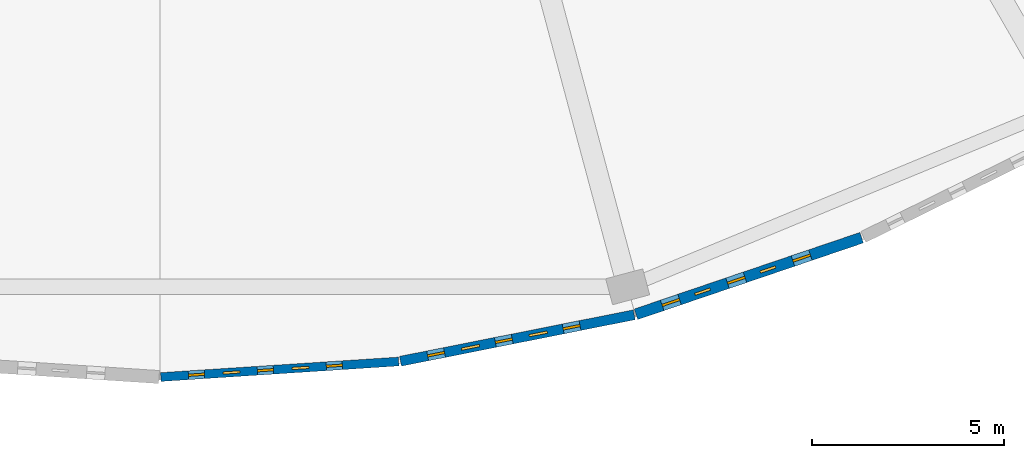
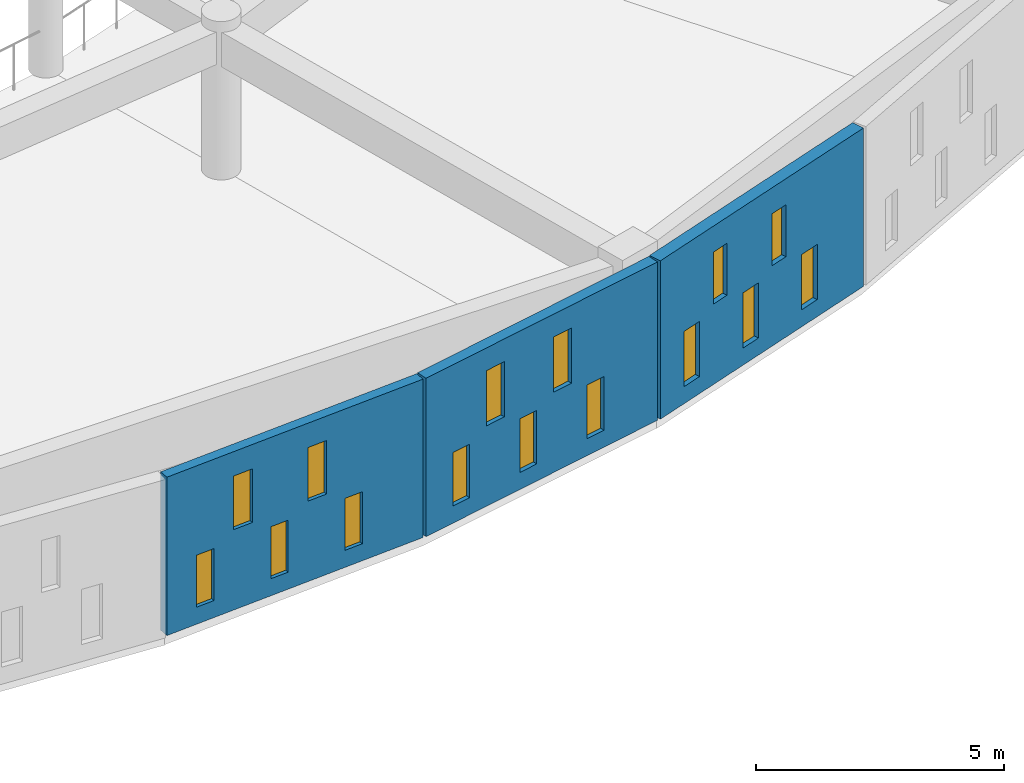
# One storey, part 55 of 98: 15 windows, 3 walls, 15 openings.
"""IFC4 building model written with IfcOpenShell, lengths in metres."""

from ifc_helpers import new_model, si_unit, direction, frame, frame_2d, origin, place, context, subcontext, project, spatial, rectangle, extrude, material, layer, layer_set, type_object, element, fill, save


model = new_model("IFC4")

# Units and contexts
model_context = context("Model", 3, precision=1e-05, world=origin(), true_north=direction((0.0, 1.0)))
body_context = subcontext(model_context, "Body", "Model", "MODEL_VIEW")
ifc_project = project(units=[si_unit("LENGTHUNIT", "METRE"), si_unit("AREAUNIT", "SQUARE_METRE"), si_unit("VOLUMEUNIT", "CUBIC_METRE"), si_unit("PLANEANGLEUNIT", "RADIAN"), si_unit("MASSUNIT", "GRAM", prefix="KILO")], contexts=[model_context])

# Site, building, storey
site_placement = place(None, origin())
site = spatial("IfcSite", under=ifc_project, at=site_placement, CompositionType="ELEMENT")
building_placement = place(site_placement, origin())
building = spatial("IfcBuilding", under=site, at=building_placement, Name="Larkveld Mobility Hub", CompositionType="ELEMENT")
storey_placement = place(building_placement, frame((0.0, 0.0, 4.5)))
storey = spatial("IfcBuildingStorey", under=building, at=storey_placement, Name="L01", CompositionType="ELEMENT", Elevation=4.5)

# Wall, openings, windows
ifc_material_1 = material(Name="Fired clay brick 25 MPa", Category="masonry")
ifc_layer_1 = layer(ifc_material_1, 0.22998046875, Name="Fired clay brick 25 MPa", Category="masonry")
ifc_layer_set_1 = layer_set([ifc_layer_1], Name="Fired clay brick 25 MPa")
wall_type_1 = type_object("IfcWallType", Name="WL-BRK-230", PredefinedType="USERDEFINED", material=ifc_layer_set_1)
wall_1_placement = place(storey_placement, frame((48.02392578125, 0.152099609375, 0.0), z_axis=(0.0, 0.0, 1.0), x_axis=(0.997874164219, 0.065170180182, 0.0)))
wall_1 = element("IfcWall", 1, at=wall_1_placement, inside=storey, type_object=wall_type_1, Name="Drum Woven Open-Bond Brick Chord L01-0081", ObjectType="PERFORATED BRICK SCREEN", PredefinedType="USERDEFINED", context=body_context, shape_type="SweptSolid", body=[
    extrude(rectangle(XDim=6.211181640625, YDim=0.22998046875, at=frame_2d((3.10546875, 0.0))), origin(), (0.0, 0.0, 1.0), 3.89990234375),
])
opening_1_placement = place(wall_1_placement, frame((0.719970703125, 0.0, 0.419921875)))
opening_1 = element("IfcOpeningElement", 2, at=opening_1_placement, cuts=wall_1, Name="Opening W01", PredefinedType="OPENING", context=body_context, shape_type="SweptSolid", body=[
    extrude(rectangle(XDim=0.419921875, YDim=1.280029296875, at=frame_2d((0.2099609375, 0.64013671875))), frame((0.0, 0.125, 0.0), z_axis=(0.0, -1.0, 0.0), x_axis=(1.0, 0.0, 0.0)), (0.0, 0.0, 1.0), 0.25),
])
opening_2_placement = place(wall_1_placement, frame((2.52001953125, 0.0, 0.419921875)))
opening_2 = element("IfcOpeningElement", 3, at=opening_2_placement, cuts=wall_1, Name="Opening W01", PredefinedType="OPENING", context=body_context, shape_type="SweptSolid", body=[
    extrude(rectangle(XDim=0.419921875, YDim=1.280029296875, at=frame_2d((0.2099609375, 0.64013671875))), frame((0.0, 0.125, 0.0), z_axis=(0.0, -1.0, 0.0), x_axis=(1.0, 0.0, 0.0)), (0.0, 0.0, 1.0), 0.25),
])
opening_3_placement = place(wall_1_placement, frame((4.320068359375, 0.0, 0.419921875)))
opening_3 = element("IfcOpeningElement", 4, at=opening_3_placement, cuts=wall_1, Name="Opening W01", PredefinedType="OPENING", context=body_context, shape_type="SweptSolid", body=[
    extrude(rectangle(XDim=0.419921875, YDim=1.280029296875, at=frame_2d((0.2099609375, 0.64013671875))), frame((0.0, 0.125, 0.0), z_axis=(0.0, -1.0, 0.0), x_axis=(1.0, 0.0, 0.0)), (0.0, 0.0, 1.0), 0.25),
])
opening_4_placement = place(wall_1_placement, frame((1.6201171875, 0.0, 1.97998046875)))
opening_4 = element("IfcOpeningElement", 5, at=opening_4_placement, cuts=wall_1, Name="Opening W02", PredefinedType="OPENING", context=body_context, shape_type="SweptSolid", body=[
    extrude(rectangle(XDim=0.449951171875, YDim=1.320068359375, at=frame_2d((0.22509765625, 0.66015625))), frame((0.0, 0.125, 0.0), z_axis=(0.0, -1.0, 0.0), x_axis=(1.0, 0.0, 0.0)), (0.0, 0.0, 1.0), 0.25),
])
opening_5_placement = place(wall_1_placement, frame((3.419921875, 0.0, 1.97998046875)))
opening_5 = element("IfcOpeningElement", 6, at=opening_5_placement, cuts=wall_1, Name="Opening W02", PredefinedType="OPENING", context=body_context, shape_type="SweptSolid", body=[
    extrude(rectangle(XDim=0.449951171875, YDim=1.320068359375, at=frame_2d((0.22509765625, 0.66015625))), frame((0.0, 0.125, 0.0), z_axis=(0.0, -1.0, 0.0), x_axis=(1.0, 0.0, 0.0)), (0.0, 0.0, 1.0), 0.25),
])
ifc_material_2 = material(Name="Extruded aluminium ventilation grille", Category="aluminium")
window_type_1 = type_object("IfcWindowType", Name="WN-VENT-01", PartitioningType="SINGLE_PANEL", PredefinedType="WINDOW", material=ifc_material_2)
window_1_placement = place(opening_1_placement, origin())
window_1 = element("IfcWindow", 7, at=window_1_placement, inside=storey, type_object=window_type_1, Name="Window W01 (0391)", OverallHeight=1.280029296875, OverallWidth=0.419921875, PartitioningType="SINGLE_PANEL", PredefinedType="WINDOW", context=body_context, shape_type="SweptSolid", body=[
    extrude(rectangle(XDim=0.419921875, YDim=1.280029296875, at=frame_2d((0.2099609375, 0.64013671875))), frame((0.0, 0.030029296875, 0.0), z_axis=(0.0, -1.0, 0.0), x_axis=(1.0, 0.0, 0.0)), (0.0, 0.0, 1.0), 0.06005859375),
])
fill(opening_1, window_1)
window_2_placement = place(opening_2_placement, origin())
window_2 = element("IfcWindow", 8, at=window_2_placement, inside=storey, type_object=window_type_1, Name="Window W01 (0392)", OverallHeight=1.280029296875, OverallWidth=0.419921875, PartitioningType="SINGLE_PANEL", PredefinedType="WINDOW", context=body_context, shape_type="SweptSolid", body=[
    extrude(rectangle(XDim=0.419921875, YDim=1.280029296875, at=frame_2d((0.2099609375, 0.64013671875))), frame((0.0, 0.030029296875, 0.0), z_axis=(0.0, -1.0, 0.0), x_axis=(1.0, 0.0, 0.0)), (0.0, 0.0, 1.0), 0.06005859375),
])
fill(opening_2, window_2)
window_3_placement = place(opening_3_placement, origin())
window_3 = element("IfcWindow", 9, at=window_3_placement, inside=storey, type_object=window_type_1, Name="Window W01 (0393)", OverallHeight=1.280029296875, OverallWidth=0.419921875, PartitioningType="SINGLE_PANEL", PredefinedType="WINDOW", context=body_context, shape_type="SweptSolid", body=[
    extrude(rectangle(XDim=0.419921875, YDim=1.280029296875, at=frame_2d((0.2099609375, 0.64013671875))), frame((0.0, 0.030029296875, 0.0), z_axis=(0.0, -1.0, 0.0), x_axis=(1.0, 0.0, 0.0)), (0.0, 0.0, 1.0), 0.06005859375),
])
fill(opening_3, window_3)
window_type_2 = type_object("IfcWindowType", Name="WN-VENT-02", PartitioningType="SINGLE_PANEL", PredefinedType="WINDOW", material=ifc_material_2)
window_4_placement = place(opening_4_placement, origin())
window_4 = element("IfcWindow", 10, at=window_4_placement, inside=storey, type_object=window_type_2, Name="Window W02 (0394)", OverallHeight=1.320068359375, OverallWidth=0.449951171875, PartitioningType="SINGLE_PANEL", PredefinedType="WINDOW", context=body_context, shape_type="SweptSolid", body=[
    extrude(rectangle(XDim=0.449951171875, YDim=1.320068359375, at=frame_2d((0.22509765625, 0.66015625))), frame((0.0, 0.030029296875, 0.0), z_axis=(0.0, -1.0, 0.0), x_axis=(1.0, 0.0, 0.0)), (0.0, 0.0, 1.0), 0.06005859375),
])
fill(opening_4, window_4)
window_5_placement = place(opening_5_placement, origin())
window_5 = element("IfcWindow", 11, at=window_5_placement, inside=storey, type_object=window_type_2, Name="Window W02 (0395)", OverallHeight=1.320068359375, OverallWidth=0.449951171875, PartitioningType="SINGLE_PANEL", PredefinedType="WINDOW", context=body_context, shape_type="SweptSolid", body=[
    extrude(rectangle(XDim=0.449951171875, YDim=1.320068359375, at=frame_2d((0.22509765625, 0.66015625))), frame((0.0, 0.030029296875, 0.0), z_axis=(0.0, -1.0, 0.0), x_axis=(1.0, 0.0, 0.0)), (0.0, 0.0, 1.0), 0.06005859375),
])
fill(opening_5, window_5)

ifc_layer_2 = layer(ifc_material_1, 0.260009765625, Name="Fired clay brick 25 MPa", Category="masonry")
ifc_layer_set_2 = layer_set([ifc_layer_2], Name="Fired clay brick 25 MPa")
wall_type_2 = type_object("IfcWallType", Name="WL-BRK-260", PredefinedType="USERDEFINED", material=ifc_layer_set_2)
wall_2_placement = place(storey_placement, frame((54.27001953125, 0.56396484375, 0.0), z_axis=(0.0, 0.0, 1.0), x_axis=(0.980799338869, 0.195019632022, 0.0)))
wall_2 = element("IfcWall", 12, at=wall_2_placement, inside=storey, type_object=wall_type_2, Name="Drum Woven Open-Bond Brick Chord L01-0082", ObjectType="PERFORATED BRICK SCREEN", PredefinedType="USERDEFINED", context=body_context, shape_type="SweptSolid", body=[
    extrude(rectangle(XDim=6.209228515625, YDim=0.260009765625, at=frame_2d((3.1044921875, 0.0))), origin(), (0.0, 0.0, 1.0), 3.89990234375),
])
opening_6_placement = place(wall_2_placement, frame((0.719970703125, 0.0, 0.419921875)))
opening_6 = element("IfcOpeningElement", 13, at=opening_6_placement, cuts=wall_2, Name="Opening W02", PredefinedType="OPENING", context=body_context, shape_type="SweptSolid", body=[
    extrude(rectangle(XDim=0.449951171875, YDim=1.320068359375, at=frame_2d((0.22509765625, 0.66015625))), frame((0.0, 0.14013671875, 0.0), z_axis=(0.0, -1.0, 0.0), x_axis=(1.0, 0.0, 0.0)), (0.0, 0.0, 1.0), 0.280029296875),
])
opening_7_placement = place(wall_2_placement, frame((2.52001953125, 0.0, 0.419921875)))
opening_7 = element("IfcOpeningElement", 14, at=opening_7_placement, cuts=wall_2, Name="Opening W02", PredefinedType="OPENING", context=body_context, shape_type="SweptSolid", body=[
    extrude(rectangle(XDim=0.449951171875, YDim=1.320068359375, at=frame_2d((0.22509765625, 0.66015625))), frame((0.0, 0.14013671875, 0.0), z_axis=(0.0, -1.0, 0.0), x_axis=(1.0, 0.0, 0.0)), (0.0, 0.0, 1.0), 0.280029296875),
])
opening_8_placement = place(wall_2_placement, frame((4.320068359375, 0.0, 0.419921875)))
opening_8 = element("IfcOpeningElement", 15, at=opening_8_placement, cuts=wall_2, Name="Opening W02", PredefinedType="OPENING", context=body_context, shape_type="SweptSolid", body=[
    extrude(rectangle(XDim=0.449951171875, YDim=1.320068359375, at=frame_2d((0.22509765625, 0.66015625))), frame((0.0, 0.14013671875, 0.0), z_axis=(0.0, -1.0, 0.0), x_axis=(1.0, 0.0, 0.0)), (0.0, 0.0, 1.0), 0.280029296875),
])
opening_9_placement = place(wall_2_placement, frame((1.6201171875, 0.0, 1.97998046875)))
opening_9 = element("IfcOpeningElement", 16, at=opening_9_placement, cuts=wall_2, Name="Opening W03", PredefinedType="OPENING", context=body_context, shape_type="SweptSolid", body=[
    extrude(rectangle(XDim=0.47998046875, YDim=1.360107421875, at=frame_2d((0.239990234375, 0.68017578125))), frame((0.0, 0.14013671875, 0.0), z_axis=(0.0, -1.0, 0.0), x_axis=(1.0, 0.0, 0.0)), (0.0, 0.0, 1.0), 0.280029296875),
])
opening_10_placement = place(wall_2_placement, frame((3.419921875, 0.0, 1.97998046875)))
opening_10 = element("IfcOpeningElement", 17, at=opening_10_placement, cuts=wall_2, Name="Opening W03", PredefinedType="OPENING", context=body_context, shape_type="SweptSolid", body=[
    extrude(rectangle(XDim=0.47998046875, YDim=1.360107421875, at=frame_2d((0.239990234375, 0.68017578125))), frame((0.0, 0.14013671875, 0.0), z_axis=(0.0, -1.0, 0.0), x_axis=(1.0, 0.0, 0.0)), (0.0, 0.0, 1.0), 0.280029296875),
])
window_6_placement = place(opening_6_placement, origin())
window_6 = element("IfcWindow", 18, at=window_6_placement, inside=storey, type_object=window_type_2, Name="Window W02 (0396)", OverallHeight=1.320068359375, OverallWidth=0.449951171875, PartitioningType="SINGLE_PANEL", PredefinedType="WINDOW", context=body_context, shape_type="SweptSolid", body=[
    extrude(rectangle(XDim=0.449951171875, YDim=1.320068359375, at=frame_2d((0.22509765625, 0.66015625))), frame((0.0, 0.030029296875, 0.0), z_axis=(0.0, -1.0, 0.0), x_axis=(1.0, 0.0, 0.0)), (0.0, 0.0, 1.0), 0.06005859375),
])
fill(opening_6, window_6)
window_7_placement = place(opening_7_placement, origin())
window_7 = element("IfcWindow", 19, at=window_7_placement, inside=storey, type_object=window_type_2, Name="Window W02 (0397)", OverallHeight=1.320068359375, OverallWidth=0.449951171875, PartitioningType="SINGLE_PANEL", PredefinedType="WINDOW", context=body_context, shape_type="SweptSolid", body=[
    extrude(rectangle(XDim=0.449951171875, YDim=1.320068359375, at=frame_2d((0.22509765625, 0.66015625))), frame((0.0, 0.030029296875, 0.0), z_axis=(0.0, -1.0, 0.0), x_axis=(1.0, 0.0, 0.0)), (0.0, 0.0, 1.0), 0.06005859375),
])
fill(opening_7, window_7)
window_8_placement = place(opening_8_placement, origin())
window_8 = element("IfcWindow", 20, at=window_8_placement, inside=storey, type_object=window_type_2, Name="Window W02 (0398)", OverallHeight=1.320068359375, OverallWidth=0.449951171875, PartitioningType="SINGLE_PANEL", PredefinedType="WINDOW", context=body_context, shape_type="SweptSolid", body=[
    extrude(rectangle(XDim=0.449951171875, YDim=1.320068359375, at=frame_2d((0.22509765625, 0.66015625))), frame((0.0, 0.030029296875, 0.0), z_axis=(0.0, -1.0, 0.0), x_axis=(1.0, 0.0, 0.0)), (0.0, 0.0, 1.0), 0.06005859375),
])
fill(opening_8, window_8)
window_type_3 = type_object("IfcWindowType", Name="WN-VENT-03", PartitioningType="SINGLE_PANEL", PredefinedType="WINDOW", material=ifc_material_2)
window_9_placement = place(opening_9_placement, origin())
window_9 = element("IfcWindow", 21, at=window_9_placement, inside=storey, type_object=window_type_3, Name="Window W03 (0399)", OverallHeight=1.360107421875, OverallWidth=0.47998046875, PartitioningType="SINGLE_PANEL", PredefinedType="WINDOW", context=body_context, shape_type="SweptSolid", body=[
    extrude(rectangle(XDim=0.47998046875, YDim=1.360107421875, at=frame_2d((0.239990234375, 0.68017578125))), frame((0.0, 0.030029296875, 0.0), z_axis=(0.0, -1.0, 0.0), x_axis=(1.0, 0.0, 0.0)), (0.0, 0.0, 1.0), 0.06005859375),
])
fill(opening_9, window_9)
window_10_placement = place(opening_10_placement, origin())
window_10 = element("IfcWindow", 22, at=window_10_placement, inside=storey, type_object=window_type_3, Name="Window W03 (0400)", OverallHeight=1.360107421875, OverallWidth=0.47998046875, PartitioningType="SINGLE_PANEL", PredefinedType="WINDOW", context=body_context, shape_type="SweptSolid", body=[
    extrude(rectangle(XDim=0.47998046875, YDim=1.360107421875, at=frame_2d((0.239990234375, 0.68017578125))), frame((0.0, 0.030029296875, 0.0), z_axis=(0.0, -1.0, 0.0), x_axis=(1.0, 0.0, 0.0)), (0.0, 0.0, 1.0), 0.06005859375),
])
fill(opening_10, window_10)

ifc_layer_3 = layer(ifc_material_1, 0.2900390625, Name="Fired clay brick 25 MPa", Category="masonry")
ifc_layer_set_3 = layer_set([ifc_layer_3], Name="Fired clay brick 25 MPa")
wall_type_3 = type_object("IfcWallType", Name="WL-BRK-290", PredefinedType="USERDEFINED", material=ifc_layer_set_3)
wall_3_placement = place(storey_placement, frame((60.406982421875, 1.7880859375, 0.0), z_axis=(0.0, 0.0, 1.0), x_axis=(0.946955417172, 0.321364960579, 0.0)))
wall_3 = element("IfcWall", 23, at=wall_3_placement, inside=storey, type_object=wall_type_3, Name="Drum Woven Open-Bond Brick Chord L01-0083", ObjectType="PERFORATED BRICK SCREEN", PredefinedType="USERDEFINED", context=body_context, shape_type="SweptSolid", body=[
    extrude(rectangle(XDim=6.21044921875, YDim=0.2900390625, at=frame_2d((3.105224609375, 0.0))), origin(), (0.0, 0.0, 1.0), 3.89990234375),
])
opening_11_placement = place(wall_3_placement, frame((0.719970703125, 0.0, 0.419921875)))
opening_11 = element("IfcOpeningElement", 24, at=opening_11_placement, cuts=wall_3, Name="Opening W03", PredefinedType="OPENING", context=body_context, shape_type="SweptSolid", body=[
    extrude(rectangle(XDim=0.47998046875, YDim=1.360107421875, at=frame_2d((0.239990234375, 0.68017578125))), frame((0.0, 0.155029296875, 0.0), z_axis=(0.0, -1.0, 0.0), x_axis=(1.0, 0.0, 0.0)), (0.0, 0.0, 1.0), 0.31005859375),
])
opening_12_placement = place(wall_3_placement, frame((2.52001953125, 0.0, 0.419921875)))
opening_12 = element("IfcOpeningElement", 25, at=opening_12_placement, cuts=wall_3, Name="Opening W03", PredefinedType="OPENING", context=body_context, shape_type="SweptSolid", body=[
    extrude(rectangle(XDim=0.47998046875, YDim=1.360107421875, at=frame_2d((0.239990234375, 0.68017578125))), frame((0.0, 0.155029296875, 0.0), z_axis=(0.0, -1.0, 0.0), x_axis=(1.0, 0.0, 0.0)), (0.0, 0.0, 1.0), 0.31005859375),
])
opening_13_placement = place(wall_3_placement, frame((4.320068359375, 0.0, 0.419921875)))
opening_13 = element("IfcOpeningElement", 26, at=opening_13_placement, cuts=wall_3, Name="Opening W03", PredefinedType="OPENING", context=body_context, shape_type="SweptSolid", body=[
    extrude(rectangle(XDim=0.47998046875, YDim=1.360107421875, at=frame_2d((0.239990234375, 0.68017578125))), frame((0.0, 0.155029296875, 0.0), z_axis=(0.0, -1.0, 0.0), x_axis=(1.0, 0.0, 0.0)), (0.0, 0.0, 1.0), 0.31005859375),
])
opening_14_placement = place(wall_3_placement, frame((1.6201171875, 0.0, 1.97998046875)))
opening_14 = element("IfcOpeningElement", 27, at=opening_14_placement, cuts=wall_3, Name="Opening W01", PredefinedType="OPENING", context=body_context, shape_type="SweptSolid", body=[
    extrude(rectangle(XDim=0.419921875, YDim=1.280029296875, at=frame_2d((0.2099609375, 0.64013671875))), frame((0.0, 0.155029296875, 0.0), z_axis=(0.0, -1.0, 0.0), x_axis=(1.0, 0.0, 0.0)), (0.0, 0.0, 1.0), 0.31005859375),
])
opening_15_placement = place(wall_3_placement, frame((3.419921875, 0.0, 1.97998046875)))
opening_15 = element("IfcOpeningElement", 28, at=opening_15_placement, cuts=wall_3, Name="Opening W01", PredefinedType="OPENING", context=body_context, shape_type="SweptSolid", body=[
    extrude(rectangle(XDim=0.419921875, YDim=1.280029296875, at=frame_2d((0.2099609375, 0.64013671875))), frame((0.0, 0.155029296875, 0.0), z_axis=(0.0, -1.0, 0.0), x_axis=(1.0, 0.0, 0.0)), (0.0, 0.0, 1.0), 0.31005859375),
])
window_11_placement = place(opening_14_placement, origin())
window_11 = element("IfcWindow", 29, at=window_11_placement, inside=storey, type_object=window_type_1, Name="Window W01 (0404)", OverallHeight=1.280029296875, OverallWidth=0.419921875, PartitioningType="SINGLE_PANEL", PredefinedType="WINDOW", context=body_context, shape_type="SweptSolid", body=[
    extrude(rectangle(XDim=0.419921875, YDim=1.280029296875, at=frame_2d((0.2099609375, 0.64013671875))), frame((0.0, 0.030029296875, 0.0), z_axis=(0.0, -1.0, 0.0), x_axis=(1.0, 0.0, 0.0)), (0.0, 0.0, 1.0), 0.06005859375),
])
fill(opening_14, window_11)
window_12_placement = place(opening_15_placement, origin())
window_12 = element("IfcWindow", 30, at=window_12_placement, inside=storey, type_object=window_type_1, Name="Window W01 (0405)", OverallHeight=1.280029296875, OverallWidth=0.419921875, PartitioningType="SINGLE_PANEL", PredefinedType="WINDOW", context=body_context, shape_type="SweptSolid", body=[
    extrude(rectangle(XDim=0.419921875, YDim=1.280029296875, at=frame_2d((0.2099609375, 0.64013671875))), frame((0.0, 0.030029296875, 0.0), z_axis=(0.0, -1.0, 0.0), x_axis=(1.0, 0.0, 0.0)), (0.0, 0.0, 1.0), 0.06005859375),
])
fill(opening_15, window_12)
window_13_placement = place(opening_11_placement, origin())
window_13 = element("IfcWindow", 31, at=window_13_placement, inside=storey, type_object=window_type_3, Name="Window W03 (0401)", OverallHeight=1.360107421875, OverallWidth=0.47998046875, PartitioningType="SINGLE_PANEL", PredefinedType="WINDOW", context=body_context, shape_type="SweptSolid", body=[
    extrude(rectangle(XDim=0.47998046875, YDim=1.360107421875, at=frame_2d((0.239990234375, 0.68017578125))), frame((0.0, 0.030029296875, 0.0), z_axis=(0.0, -1.0, 0.0), x_axis=(1.0, 0.0, 0.0)), (0.0, 0.0, 1.0), 0.06005859375),
])
fill(opening_11, window_13)
window_14_placement = place(opening_12_placement, origin())
window_14 = element("IfcWindow", 32, at=window_14_placement, inside=storey, type_object=window_type_3, Name="Window W03 (0402)", OverallHeight=1.360107421875, OverallWidth=0.47998046875, PartitioningType="SINGLE_PANEL", PredefinedType="WINDOW", context=body_context, shape_type="SweptSolid", body=[
    extrude(rectangle(XDim=0.47998046875, YDim=1.360107421875, at=frame_2d((0.239990234375, 0.68017578125))), frame((0.0, 0.030029296875, 0.0), z_axis=(0.0, -1.0, 0.0), x_axis=(1.0, 0.0, 0.0)), (0.0, 0.0, 1.0), 0.06005859375),
])
fill(opening_12, window_14)
window_15_placement = place(opening_13_placement, origin())
window_15 = element("IfcWindow", 33, at=window_15_placement, inside=storey, type_object=window_type_3, Name="Window W03 (0403)", OverallHeight=1.360107421875, OverallWidth=0.47998046875, PartitioningType="SINGLE_PANEL", PredefinedType="WINDOW", context=body_context, shape_type="SweptSolid", body=[
    extrude(rectangle(XDim=0.47998046875, YDim=1.360107421875, at=frame_2d((0.239990234375, 0.68017578125))), frame((0.0, 0.030029296875, 0.0), z_axis=(0.0, -1.0, 0.0), x_axis=(1.0, 0.0, 0.0)), (0.0, 0.0, 1.0), 0.06005859375),
])
fill(opening_13, window_15)

save(model, "model.ifc")
